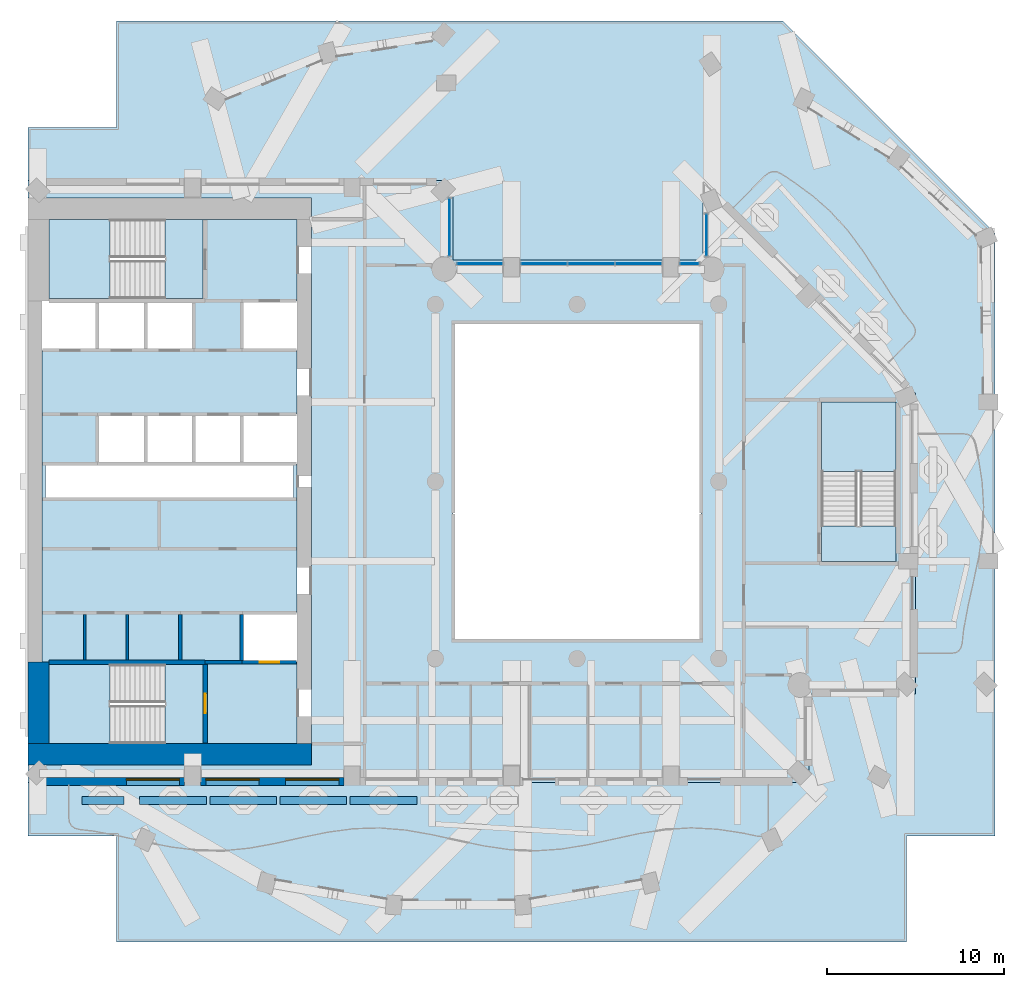
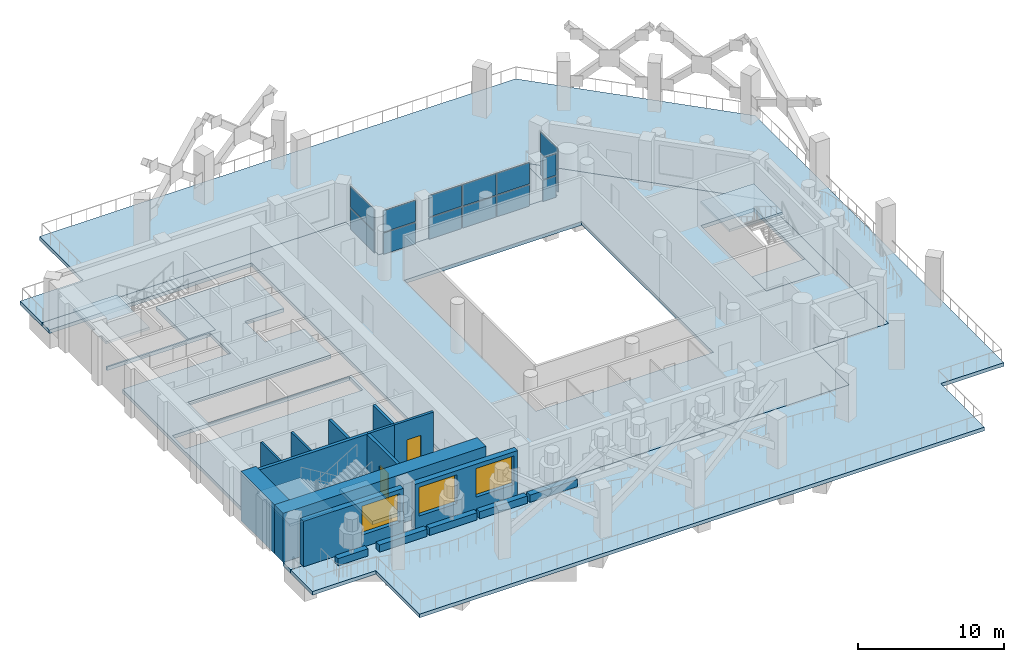
# One storey, part 4 of 18: 17 walls, 14 plates, 9 slabs, 3 windows, 2 doors, 5 openings, 8 elements without a shape of their own.
"""IFC4 building model written with IfcOpenShell, lengths in metres."""

from ifc_helpers import new_model, si_unit, direction, frame, frame_2d, origin, origin_2d, place, context, subcontext, project, spatial, polyline, rectangle, outline, extrude, material, layer, layer_set, type_object, element, fill, aggregate, save


model = new_model("IFC4")

# Units and contexts
model_context = context("Model", 3, precision=1e-05, world=origin(), true_north=direction((0.0, 1.0)))
body_context = subcontext(model_context, "Body", "Model", "MODEL_VIEW")
ifc_project = project(units=[si_unit("LENGTHUNIT", "METRE"), si_unit("AREAUNIT", "SQUARE_METRE"), si_unit("VOLUMEUNIT", "CUBIC_METRE"), si_unit("PLANEANGLEUNIT", "RADIAN"), si_unit("MASSUNIT", "GRAM", prefix="KILO")], contexts=[model_context])

# Site, building, storey
site_placement = place(None, origin())
site = spatial("IfcSite", under=ifc_project, at=site_placement, CompositionType="ELEMENT")
building_placement = place(site_placement, origin())
building = spatial("IfcBuilding", under=site, at=building_placement, Name="Cypress Arch Tower", CompositionType="ELEMENT")
storey_placement = place(building_placement, frame((0.0, 0.0, 160.5)))
storey = spatial("IfcBuildingStorey", under=building, at=storey_placement, Name="L34", CompositionType="ELEMENT", Elevation=160.5)

# Slabs
ifc_material_1 = material(Name="Concrete C40/50", Category="concrete")
ifc_layer_1 = layer(ifc_material_1, 0.300048828125)
ifc_layer_set_1 = layer_set([ifc_layer_1], Name="Core floor CF300")
slab_type_1 = type_object("IfcSlabType", Name="Core floor CF300", PredefinedType="FLOOR", material=ifc_layer_set_1)
slab_1_placement = place(storey_placement, frame((0.0, 0.0, -0.300048828125)))
element("IfcSlab", 1, at=slab_1_placement, inside=storey, type_object=slab_type_1, Name="Core floor", PredefinedType="FLOOR", context=body_context, shape_type="SweptSolid", body=[
    extrude(outline(polyline([(-20.125, -10.324951171875), (-22.27490234375, -10.324951171875), (-28.800048828125, -10.324951171875), (-28.800048828125, -10.199951171875), (-29.199951171875, -10.199951171875), (-29.199951171875, 7.39990234375), (-26.080078125, 7.39990234375), (-23.360107421875, 7.39990234375), (-20.639892578125, 7.39990234375), (-20.639892578125, 10.199951171875), (-23.360107421875, 10.199951171875), (-26.080078125, 10.199951171875), (-28.800048828125, 10.199951171875), (-28.800048828125, 10.324951171875), (-22.27490234375, 10.324951171875), (-20.125, 10.324951171875), (-20.125, 14.800048828125), (-14.800048828125, 14.800048828125), (-14.800048828125, 10.199951171875), (-17.919921875, 10.199951171875), (-17.919921875, 7.39990234375), (-14.800048828125, 7.39990234375), (-14.800048828125, 3.800048828125), (-17.919921875, 3.800048828125), (-20.639892578125, 3.800048828125), (-23.360107421875, 3.800048828125), (-26.080078125, 3.800048828125), (-26.080078125, 1.0), (-23.360107421875, 1.0), (-20.639892578125, 1.0), (-17.919921875, 1.0), (-14.800048828125, 1.0), (-14.800048828125, -7.39990234375), (-17.919921875, -7.39990234375), (-17.919921875, -10.199951171875), (-14.800048828125, -10.199951171875), (-14.800048828125, -14.800048828125), (-20.125, -14.800048828125), (-20.125, -10.324951171875)]), holes=[polyline([(-29.0, -0.89990234375), (-15.0, -0.89990234375), (-15.0, 0.89990234375), (-29.0, 0.89990234375), (-29.0, -0.89990234375)])]), origin(), (0.0, 0.0, 1.0), 0.300048828125),
])
slab_2_placement = place(storey_placement, frame((0.0, 0.0, -0.300048828125)))
element("IfcSlab", 2, at=slab_2_placement, inside=storey, type_object=slab_type_1, Name="Core floor", PredefinedType="FLOOR", context=body_context, shape_type="SweptSolid", body=[
    extrude(outline(polyline([(-22.27490234375, -10.324951171875), (-22.27490234375, -14.800048828125), (-20.125, -14.800048828125), (-20.125, -10.324951171875), (-22.27490234375, -10.324951171875)])), origin(), (0.0, 0.0, 1.0), 0.300048828125),
])
slab_3_placement = place(storey_placement, frame((0.0, 0.0, -0.300048828125)))
element("IfcSlab", 3, at=slab_3_placement, inside=storey, type_object=slab_type_1, Name="Core floor", PredefinedType="FLOOR", context=body_context, shape_type="SweptSolid", body=[
    extrude(outline(polyline([(-20.125, 14.800048828125), (-22.27490234375, 14.800048828125), (-22.27490234375, 10.324951171875), (-20.125, 10.324951171875), (-20.125, 14.800048828125)])), origin(), (0.0, 0.0, 1.0), 0.300048828125),
])
slab_4_placement = place(storey_placement, frame((0.0, 0.0, -0.300048828125)))
element("IfcSlab", 4, at=slab_4_placement, inside=storey, type_object=slab_type_1, Name="Stair floor landing", PredefinedType="FLOOR", context=body_context, shape_type="SweptSolid", body=[
    extrude(outline(polyline([(19.0, -4.5), (19.0, -2.5), (14.800048828125, -2.5), (14.800048828125, -4.5), (19.0, -4.5)])), origin(), (0.0, 0.0, 1.0), 0.300048828125),
])

# Curtain wall, plates
ifc_material_2 = material(Name="Anodised aluminium, bronze finish, clear laminated double glazing", Category="aluminium")
curtain_wall_type = type_object("IfcCurtainWallType", Name="Curtain wall CW7 slot glazing", PredefinedType="NOTDEFINED", material=ifc_material_2)
curtain_wall_1_placement = place(storey_placement, origin())
curtain_wall_1 = element("IfcCurtainWall", 5, at=curtain_wall_1_placement, inside=storey, type_object=curtain_wall_type, Name="Curtain wall L34 slot B06.0", PredefinedType="NOTDEFINED")
ifc_material_3 = material(Name="Clear laminated double glazing", Category="glass")
ifc_layer_2 = layer(ifc_material_3, 0.0439453125)
ifc_layer_set_2 = layer_set([ifc_layer_2], Name="Glass panel CW7 44")
plate_type = type_object("IfcPlateType", Name="Glass panel CW7 44", PredefinedType="CURTAIN_PANEL", material=ifc_layer_set_2)
plate_1_placement = place(storey_placement, frame((8.300048828125, 13.912353515625, 0.0849609375), z_axis=(0.0, 0.0, 1.0), x_axis=(0.0, -1.0, 0.0)))
plate_1 = element("IfcPlate", 6, at=plate_1_placement, type_object=plate_type, Name="CW7 panel 1.1", PredefinedType="CURTAIN_PANEL", context=body_context, shape_type="SweptSolid", body=[
    extrude(rectangle(XDim=2.345458984375, YDim=0.0439453125, at=origin_2d()), origin(), (0.0, 0.0, 1.0), 1.7724609375),
])
plate_2_placement = place(storey_placement, frame((8.300048828125, 13.912353515625, 1.942626953125), z_axis=(0.0, 0.0, 1.0), x_axis=(0.0, -1.0, 0.0)))
plate_2 = element("IfcPlate", 7, at=plate_2_placement, type_object=plate_type, Name="CW7 panel 1.2", PredefinedType="CURTAIN_PANEL", context=body_context, shape_type="SweptSolid", body=[
    extrude(rectangle(XDim=2.345458984375, YDim=0.0439453125, at=origin_2d()), origin(), (0.0, 0.0, 1.0), 1.7724609375),
])
aggregate(curtain_wall_1, [plate_1, plate_2])

curtain_wall_2_placement = place(storey_placement, origin())
curtain_wall_2 = element("IfcCurtainWall", 8, at=curtain_wall_2_placement, inside=storey, type_object=curtain_wall_type, Name="Curtain wall L34 slot B07.0", PredefinedType="NOTDEFINED")
plate_3_placement = place(storey_placement, frame((7.34765625, 12.300048828125, 0.0849609375), z_axis=(0.0, 0.0, 1.0), x_axis=(-1.0, 0.0, 0.0)))
plate_3 = element("IfcPlate", 9, at=plate_3_placement, type_object=plate_type, Name="CW7 panel 1.1", PredefinedType="CURTAIN_PANEL", context=body_context, shape_type="SweptSolid", body=[
    extrude(rectangle(XDim=1.025390625, YDim=0.0439453125, at=origin_2d()), origin(), (0.0, 0.0, 1.0), 1.7724609375),
])
plate_4_placement = place(storey_placement, frame((7.34765625, 12.300048828125, 1.942626953125), z_axis=(0.0, 0.0, 1.0), x_axis=(-1.0, 0.0, 0.0)))
plate_4 = element("IfcPlate", 10, at=plate_4_placement, type_object=plate_type, Name="CW7 panel 1.2", PredefinedType="CURTAIN_PANEL", context=body_context, shape_type="SweptSolid", body=[
    extrude(rectangle(XDim=1.025390625, YDim=0.0439453125, at=origin_2d()), origin(), (0.0, 0.0, 1.0), 1.7724609375),
])
aggregate(curtain_wall_2, [plate_3, plate_4])

curtain_wall_3_placement = place(storey_placement, origin())
curtain_wall_3 = element("IfcCurtainWall", 11, at=curtain_wall_3_placement, inside=storey, type_object=curtain_wall_type, Name="Curtain wall L34 slot B07.1", PredefinedType="NOTDEFINED")
plate_5_placement = place(storey_placement, frame((4.478759765625, 12.300048828125, 0.0849609375), z_axis=(0.0, 0.0, 1.0), x_axis=(-1.0, 0.0, 0.0)))
plate_5 = element("IfcPlate", 12, at=plate_5_placement, type_object=plate_type, Name="CW7 panel 1.1", PredefinedType="CURTAIN_PANEL", context=body_context, shape_type="SweptSolid", body=[
    extrude(rectangle(XDim=2.572509765625, YDim=0.0439453125, at=origin_2d()), origin(), (0.0, 0.0, 1.0), 1.7724609375),
])
plate_6_placement = place(storey_placement, frame((4.478759765625, 12.300048828125, 1.942626953125), z_axis=(0.0, 0.0, 1.0), x_axis=(-1.0, 0.0, 0.0)))
plate_6 = element("IfcPlate", 13, at=plate_6_placement, type_object=plate_type, Name="CW7 panel 1.2", PredefinedType="CURTAIN_PANEL", context=body_context, shape_type="SweptSolid", body=[
    extrude(rectangle(XDim=2.572509765625, YDim=0.0439453125, at=origin_2d()), origin(), (0.0, 0.0, 1.0), 1.7724609375),
])
plate_7_placement = place(storey_placement, frame((1.800048828125, 12.300048828125, 0.0849609375), z_axis=(0.0, 0.0, 1.0), x_axis=(-1.0, 0.0, 0.0)))
plate_7 = element("IfcPlate", 14, at=plate_7_placement, type_object=plate_type, Name="CW7 panel 2.1", PredefinedType="CURTAIN_PANEL", context=body_context, shape_type="SweptSolid", body=[
    extrude(rectangle(XDim=2.614990234375, YDim=0.0439453125, at=origin_2d()), origin(), (0.0, 0.0, 1.0), 1.7724609375),
])
plate_8_placement = place(storey_placement, frame((1.800048828125, 12.300048828125, 1.942626953125), z_axis=(0.0, 0.0, 1.0), x_axis=(-1.0, 0.0, 0.0)))
plate_8 = element("IfcPlate", 15, at=plate_8_placement, type_object=plate_type, Name="CW7 panel 2.2", PredefinedType="CURTAIN_PANEL", context=body_context, shape_type="SweptSolid", body=[
    extrude(rectangle(XDim=2.614990234375, YDim=0.0439453125, at=origin_2d()), origin(), (0.0, 0.0, 1.0), 1.7724609375),
])
plate_9_placement = place(storey_placement, frame((-0.878662109375, 12.300048828125, 0.0849609375), z_axis=(0.0, 0.0, 1.0), x_axis=(-1.0, 0.0, 0.0)))
plate_9 = element("IfcPlate", 16, at=plate_9_placement, type_object=plate_type, Name="CW7 panel 3.1", PredefinedType="CURTAIN_PANEL", context=body_context, shape_type="SweptSolid", body=[
    extrude(rectangle(XDim=2.572509765625, YDim=0.0439453125, at=origin_2d()), origin(), (0.0, 0.0, 1.0), 1.7724609375),
])
plate_10_placement = place(storey_placement, frame((-0.878662109375, 12.300048828125, 1.942626953125), z_axis=(0.0, 0.0, 1.0), x_axis=(-1.0, 0.0, 0.0)))
plate_10 = element("IfcPlate", 17, at=plate_10_placement, type_object=plate_type, Name="CW7 panel 3.2", PredefinedType="CURTAIN_PANEL", context=body_context, shape_type="SweptSolid", body=[
    extrude(rectangle(XDim=2.572509765625, YDim=0.0439453125, at=origin_2d()), origin(), (0.0, 0.0, 1.0), 1.7724609375),
])
aggregate(curtain_wall_3, [plate_5, plate_6, plate_7, plate_8, plate_9, plate_10])

curtain_wall_4_placement = place(storey_placement, origin())
curtain_wall_4 = element("IfcCurtainWall", 18, at=curtain_wall_4_placement, inside=storey, type_object=curtain_wall_type, Name="Curtain wall L34 slot B07.2", PredefinedType="NOTDEFINED")
plate_11_placement = place(storey_placement, frame((-4.497802734375, 12.300048828125, 0.0849609375), z_axis=(0.0, 0.0, 1.0), x_axis=(-1.0, 0.0, 0.0)))
plate_11 = element("IfcPlate", 19, at=plate_11_placement, type_object=plate_type, Name="CW7 panel 1.1", PredefinedType="CURTAIN_PANEL", context=body_context, shape_type="SweptSolid", body=[
    extrude(rectangle(XDim=2.525390625, YDim=0.0439453125, at=origin_2d()), origin(), (0.0, 0.0, 1.0), 1.7724609375),
])
plate_12_placement = place(storey_placement, frame((-4.497802734375, 12.300048828125, 1.942626953125), z_axis=(0.0, 0.0, 1.0), x_axis=(-1.0, 0.0, 0.0)))
plate_12 = element("IfcPlate", 20, at=plate_12_placement, type_object=plate_type, Name="CW7 panel 1.2", PredefinedType="CURTAIN_PANEL", context=body_context, shape_type="SweptSolid", body=[
    extrude(rectangle(XDim=2.525390625, YDim=0.0439453125, at=origin_2d()), origin(), (0.0, 0.0, 1.0), 1.7724609375),
])
aggregate(curtain_wall_4, [plate_11, plate_12])

curtain_wall_5_placement = place(storey_placement, origin())
curtain_wall_5 = element("IfcCurtainWall", 21, at=curtain_wall_5_placement, inside=storey, type_object=curtain_wall_type, Name="Curtain wall L34 slot B08.0", PredefinedType="NOTDEFINED")
plate_13_placement = place(storey_placement, frame((-6.199951171875, 14.359130859375, 0.0849609375), z_axis=(0.0, 0.0, 1.0), x_axis=(0.0, 1.0, 0.0)))
plate_13 = element("IfcPlate", 22, at=plate_13_placement, type_object=plate_type, Name="CW7 panel 1.1", PredefinedType="CURTAIN_PANEL", context=body_context, shape_type="SweptSolid", body=[
    extrude(rectangle(XDim=3.239013671875, YDim=0.0439453125, at=origin_2d()), origin(), (0.0, 0.0, 1.0), 1.7724609375),
])
plate_14_placement = place(storey_placement, frame((-6.199951171875, 14.359130859375, 1.942626953125), z_axis=(0.0, 0.0, 1.0), x_axis=(0.0, 1.0, 0.0)))
plate_14 = element("IfcPlate", 23, at=plate_14_placement, type_object=plate_type, Name="CW7 panel 1.2", PredefinedType="CURTAIN_PANEL", context=body_context, shape_type="SweptSolid", body=[
    extrude(rectangle(XDim=3.239013671875, YDim=0.0439453125, at=origin_2d()), origin(), (0.0, 0.0, 1.0), 1.7724609375),
])
aggregate(curtain_wall_5, [plate_13, plate_14])

# Slab
ifc_material_4 = material(Name="Concrete C40/50", Category="concrete")
ifc_layer_3 = layer(ifc_material_4, 0.300048828125)
ifc_layer_set_3 = layer_set([ifc_layer_3], Name="PT flat slab 300 Concrete C40/50")
slab_type_2 = type_object("IfcSlabType", Name="PT flat slab 300 Concrete C40/50", PredefinedType="FLOOR", material=ifc_layer_set_3)
slab_5_placement = place(storey_placement, frame((0.0, 0.0, -0.300048828125)))
element("IfcSlab", 24, at=slab_5_placement, inside=storey, type_object=slab_type_2, Name="Floor slab L34", PredefinedType="FLOOR", context=body_context, shape_type="SweptSolid", body=[
    extrude(outline(polyline([(-30.0, 17.0), (-6.0, 17.0), (-6.0, 12.5), (8.10009765625, 12.5), (8.10009765625, 17.0), (20.10009765625, 5.0), (20.10009765625, -12.0), (14.10009765625, -12.0), (14.10009765625, -17.0), (-30.0, -17.0), (-30.0, -16.0), (-14.0, -16.0), (-14.0, 16.0), (-30.0, 16.0), (-30.0, 17.0)]), holes=[polyline([(-6.0, -9.0), (8.0, -9.0), (8.0, 9.0), (-6.0, 9.0), (-6.0, -9.0)]), polyline([(14.800048828125, -4.5), (19.0, -4.5), (19.0, 4.5), (14.800048828125, 4.5), (14.800048828125, -4.5)])]), origin(), (0.0, 0.0, 1.0), 0.300048828125),
])

# Stair, slab
ifc_material_5 = material(Name="Concrete C40/50", Category="concrete")
stair_type_1 = type_object("IfcStairType", Name="Exit stair ES1708-215", PredefinedType="HALF_TURN_STAIR", material=ifc_material_5)
stair_1_placement = place(storey_placement, origin())
stair_1 = element("IfcStair", 25, at=stair_1_placement, inside=storey, type_object=stair_type_1, Name="L34 Exit stair A", PredefinedType="HALF_TURN_STAIR")
ifc_material_6 = material(Name="Concrete C40/50", Category="concrete")
ifc_layer_4 = layer(ifc_material_6, 0.199951171875)
ifc_layer_set_4 = layer_set([ifc_layer_4], Name="Stair landing SL200")
slab_type_3 = type_object("IfcSlabType", Name="Stair landing SL200", PredefinedType="LANDING", material=ifc_layer_set_4)
slab_6_placement = place(storey_placement, frame((0.0, 0.0, 1.85009765625)))
slab_6 = element("IfcSlab", 26, at=slab_6_placement, type_object=slab_type_3, Name="A landing 1", PredefinedType="LANDING", context=body_context, shape_type="SweptSolid", body=[
    extrude(outline(polyline([(-25.35498046875, -10.324951171875), (-28.800048828125, -10.324951171875), (-28.800048828125, -14.800048828125), (-25.35498046875, -14.800048828125), (-25.35498046875, -10.324951171875)])), origin(), (0.0, 0.0, 1.0), 0.199951171875),
])
aggregate(stair_1, [slab_6])

stair_2_placement = place(storey_placement, origin())
stair_2 = element("IfcStair", 27, at=stair_2_placement, inside=storey, type_object=stair_type_1, Name="L34 Exit stair B", PredefinedType="HALF_TURN_STAIR")
slab_7_placement = place(storey_placement, frame((0.0, 0.0, 1.85009765625)))
slab_7 = element("IfcSlab", 28, at=slab_7_placement, type_object=slab_type_3, Name="B landing 1", PredefinedType="LANDING", context=body_context, shape_type="SweptSolid", body=[
    extrude(outline(polyline([(-25.35498046875, 14.800048828125), (-28.800048828125, 14.800048828125), (-28.800048828125, 10.324951171875), (-25.35498046875, 10.324951171875), (-25.35498046875, 14.800048828125)])), origin(), (0.0, 0.0, 1.0), 0.199951171875),
])
aggregate(stair_2, [slab_7])

ifc_material_7 = material(Name="Concrete C40/50", Category="concrete")
stair_type_2 = type_object("IfcStairType", Name="Exit stair ES1708-200", PredefinedType="HALF_TURN_STAIR", material=ifc_material_7)
stair_3_placement = place(storey_placement, origin())
stair_3 = element("IfcStair", 29, at=stair_3_placement, inside=storey, type_object=stair_type_2, Name="L34 Exit stair C", PredefinedType="HALF_TURN_STAIR")
slab_8_placement = place(storey_placement, frame((0.0, 0.0, 1.85009765625)))
slab_8 = element("IfcSlab", 30, at=slab_8_placement, type_object=slab_type_3, Name="C landing 1", PredefinedType="LANDING", context=body_context, shape_type="SweptSolid", body=[
    extrude(outline(polyline([(19.0, 0.580078125), (19.0, 4.5), (14.800048828125, 4.5), (14.800048828125, 0.580078125), (19.0, 0.580078125)])), origin(), (0.0, 0.0, 1.0), 0.199951171875),
])
aggregate(stair_3, [slab_8])

# Slab
ifc_material_8 = material(Name="Concrete C40/50", Category="concrete")
ifc_layer_5 = layer(ifc_material_8, 0.300048828125)
ifc_layer_set_5 = layer_set([ifc_layer_5], Name="Terrace roof slab 300 Concrete C40/50")
slab_type_4 = type_object("IfcSlabType", Name="Terrace roof slab 300 Concrete C40/50", PredefinedType="ROOF", material=ifc_layer_set_5)
slab_9_placement = place(storey_placement, frame((0.0, 0.0, -0.300048828125)))
element("IfcSlab", 31, at=slab_9_placement, inside=storey, type_object=slab_type_4, Name="Setback roof L34 1", PredefinedType="ROOF", context=body_context, shape_type="SweptSolid", body=[
    extrude(outline(polyline([(-30.0, 20.0), (-25.0, 20.0), (-25.0, 26.0), (12.60009765625, 26.0), (24.60009765625, 14.0), (24.60009765625, -20.0), (19.60009765625, -20.0), (19.60009765625, -26.0), (-25.0, -26.0), (-25.0, -20.0), (-30.0, -20.0), (-30.0, -17.0), (14.10009765625, -17.0), (14.10009765625, -12.0), (20.10009765625, -12.0), (20.10009765625, 5.0), (8.10009765625, 17.0), (8.10009765625, 12.5), (-6.0, 12.5), (-6.0, 17.0), (-30.0, 17.0), (-30.0, 20.0)])), origin(), (0.0, 0.0, 1.0), 0.300048828125),
])

# Walls
ifc_material_9 = material(Name="Concrete C40/50, waterproofed", Category="concrete")
ifc_layer_6 = layer(ifc_material_9, 0.449951171875)
ifc_layer_set_6 = layer_set([ifc_layer_6], Name="Balcony planter wall PW450")
wall_type_1 = type_object("IfcWallType", Name="Balcony planter wall PW450", PredefinedType="SOLIDWALL", material=ifc_layer_set_6)
wall_1_placement = place(storey_placement, frame((-26.949951171875, -18.0, 0.0), z_axis=(0.0, 0.0, 1.0), x_axis=(1.0, 0.0, 0.0)))
element("IfcWall", 32, at=wall_1_placement, inside=storey, type_object=wall_type_1, Name="Balcony planter wall L34-B01.1", PredefinedType="SOLIDWALL", context=body_context, shape_type="SweptSolid", body=[
    extrude(rectangle(XDim=2.35986328125, YDim=0.449951171875, at=frame_2d((1.179931640625, 0.0))), origin(), (0.0, 0.0, 1.0), 0.60009765625),
])
for number, where, z_axis, x_axis, name in (
    (33, (-23.68994140625, -18.0, 0.0), (0.0, 0.0, 1.0), (1.0, 0.0, 0.0), "Balcony planter wall L34-B01.2"),
    (34, (-19.72998046875, -18.0, 0.0), (0.0, 0.0, 1.0), (1.0, 0.0, 0.0), "Balcony planter wall L34-B01.3"),
    (35, (-15.77001953125, -18.0, 0.0), (0.0, 0.0, 1.0), (1.0, 0.0, 0.0), "Balcony planter wall L34-B01.4"),
    (36, (-11.81005859375, -18.0, 0.0), (0.0, 0.0, 1.0), (1.0, 0.0, 0.0), "Balcony planter wall L34-B01.5"),
):
    element("IfcWall", number, at=place(storey_placement, frame(where, z_axis=z_axis, x_axis=x_axis)), inside=storey, type_object=wall_type_1, Name=name, PredefinedType="SOLIDWALL", context=body_context, shape_type="SweptSolid", body=[
        extrude(rectangle(XDim=3.760009765625, YDim=0.449951171875, at=frame_2d((1.8798828125, 0.0))), origin(), (0.0, 0.0, 1.0), 0.60009765625),
    ])

# Wall, opening, window
ifc_material_10 = material(Name="Brick (red buff blend)", Category="masonry")
ifc_layer_7 = layer(ifc_material_10, 0.449951171875)
ifc_layer_set_7 = layer_set([ifc_layer_7], Name="Brick pier and spandrel wall BW450")
wall_type_2 = type_object("IfcWallType", Name="Brick pier and spandrel wall BW450", PredefinedType="SOLIDWALL", material=ifc_layer_set_7)
wall_2_placement = place(storey_placement, frame((-29.063720703125, -16.925048828125, 0.0), z_axis=(0.0, 0.0, 1.0), x_axis=(1.0, 0.0, 0.0)))
wall_2 = element("IfcWall", 37, at=wall_2_placement, inside=storey, type_object=wall_type_2, Name="Brick wall L34 B01.0", PredefinedType="SOLIDWALL", context=body_context, shape_type="SweptSolid", body=[
    extrude(rectangle(XDim=7.913818359375, YDim=0.449951171875, at=frame_2d((3.95703125, 0.0))), origin(), (0.0, 0.0, 1.0), 3.800048828125),
])
opening_1_placement = place(wall_2_placement, frame((4.613525390625, 0.0, 1.050048828125)))
opening_1 = element("IfcOpeningElement", 38, at=opening_1_placement, cuts=wall_2, Name="Opening W300OD", PredefinedType="OPENING", context=body_context, shape_type="SweptSolid", body=[
    extrude(rectangle(XDim=3.0, YDim=2.39990234375, at=frame_2d((1.5, 1.199951171875))), frame((0.0, 0.23486328125, 0.0), z_axis=(0.0, -1.0, 0.0), x_axis=(1.0, 0.0, 0.0)), (0.0, 0.0, 1.0), 0.469970703125),
])
ifc_material_11 = material(Name="Anodised aluminium, bronze finish, laminated low-emissivity double glazing, large-missile impact rated", Category="aluminium")
window_type = type_object("IfcWindowType", Name="Window Office 3000x2400 debris-rated", PartitioningType="SINGLE_PANEL", PredefinedType="WINDOW", material=ifc_material_11)
window_1_placement = place(opening_1_placement, origin())
window_1 = element("IfcWindow", 39, at=window_1_placement, inside=storey, type_object=window_type, Name="Window L34 B01.0.2", OverallHeight=2.39990234375, OverallWidth=3.0, PartitioningType="SINGLE_PANEL", PredefinedType="WINDOW", context=body_context, shape_type="SweptSolid", body=[
    extrude(rectangle(XDim=3.0, YDim=2.39990234375, at=frame_2d((1.5, 1.199951171875))), frame((0.0, 0.135009765625, 0.0), z_axis=(0.0, -1.0, 0.0), x_axis=(1.0, 0.0, 0.0)), (0.0, 0.0, 1.0), 0.06005859375),
])
fill(opening_1, window_1)

# Wall, openings, windows
wall_3_placement = place(storey_placement, frame((-20.25, -16.925048828125, 0.0), z_axis=(0.0, 0.0, 1.0), x_axis=(1.0, 0.0, 0.0)))
wall_3 = element("IfcWall", 40, at=wall_3_placement, inside=storey, type_object=wall_type_2, Name="Brick wall L34 B01.1", PredefinedType="SOLIDWALL", context=body_context, shape_type="SweptSolid", body=[
    extrude(rectangle(XDim=8.10009765625, YDim=0.449951171875, at=frame_2d((4.050048828125, 0.0))), origin(), (0.0, 0.0, 1.0), 3.800048828125),
])
opening_2_placement = place(wall_3_placement, frame((0.300048828125, 0.0, 1.050048828125)))
opening_2 = element("IfcOpeningElement", 41, at=opening_2_placement, cuts=wall_3, Name="Opening W300OD", PredefinedType="OPENING", context=body_context, shape_type="SweptSolid", body=[
    extrude(rectangle(XDim=3.0, YDim=2.39990234375, at=frame_2d((1.5, 1.199951171875))), frame((0.0, 0.23486328125, 0.0), z_axis=(0.0, -1.0, 0.0), x_axis=(1.0, 0.0, 0.0)), (0.0, 0.0, 1.0), 0.469970703125),
])
opening_3_placement = place(wall_3_placement, frame((4.800048828125, 0.0, 1.050048828125)))
opening_3 = element("IfcOpeningElement", 42, at=opening_3_placement, cuts=wall_3, Name="Opening W300OD", PredefinedType="OPENING", context=body_context, shape_type="SweptSolid", body=[
    extrude(rectangle(XDim=3.0, YDim=2.39990234375, at=frame_2d((1.5, 1.199951171875))), frame((0.0, 0.23486328125, 0.0), z_axis=(0.0, -1.0, 0.0), x_axis=(1.0, 0.0, 0.0)), (0.0, 0.0, 1.0), 0.469970703125),
])
window_2_placement = place(opening_2_placement, origin())
window_2 = element("IfcWindow", 43, at=window_2_placement, inside=storey, type_object=window_type, Name="Window L34 B01.1.1", OverallHeight=2.39990234375, OverallWidth=3.0, PartitioningType="SINGLE_PANEL", PredefinedType="WINDOW", context=body_context, shape_type="SweptSolid", body=[
    extrude(rectangle(XDim=3.0, YDim=2.39990234375, at=frame_2d((1.5, 1.199951171875))), frame((0.0, 0.135009765625, 0.0), z_axis=(0.0, -1.0, 0.0), x_axis=(1.0, 0.0, 0.0)), (0.0, 0.0, 1.0), 0.06005859375),
])
fill(opening_2, window_2)
window_3_placement = place(opening_3_placement, origin())
window_3 = element("IfcWindow", 44, at=window_3_placement, inside=storey, type_object=window_type, Name="Window L34 B01.1.2", OverallHeight=2.39990234375, OverallWidth=3.0, PartitioningType="SINGLE_PANEL", PredefinedType="WINDOW", context=body_context, shape_type="SweptSolid", body=[
    extrude(rectangle(XDim=3.0, YDim=2.39990234375, at=frame_2d((1.5, 1.199951171875))), frame((0.0, 0.135009765625, 0.0), z_axis=(0.0, -1.0, 0.0), x_axis=(1.0, 0.0, 0.0)), (0.0, 0.0, 1.0), 0.06005859375),
])
fill(opening_3, window_3)

# Walls
ifc_material_12 = material(Name="Concrete C70/85", Category="concrete")
ifc_layer_8 = layer(ifc_material_12, 1.199951171875)
ifc_layer_set_8 = layer_set([ifc_layer_8], Name="Core wall CW1200 C70/85")
wall_type_3 = type_object("IfcWallType", Name="Core wall CW1200 C70/85", PredefinedType="SHEAR", material=ifc_layer_set_8)
wall_4_placement = place(storey_placement, frame((-30.0, -15.39990234375, 0.0), z_axis=(0.0, 0.0, 1.0), x_axis=(1.0, 0.0, 0.0)))
element("IfcWall", 45, at=wall_4_placement, inside=storey, type_object=wall_type_3, Name="Core wall", PredefinedType="SHEAR", context=body_context, shape_type="SweptSolid", body=[
    extrude(rectangle(XDim=16.0, YDim=1.199951171875, at=frame_2d((8.0, 0.0))), origin(), (0.0, 0.0, 1.0), 4.10009765625),
])
wall_5_placement = place(storey_placement, frame((-29.39990234375, -14.800048828125, 0.0), z_axis=(0.0, 0.0, 1.0), x_axis=(0.0, 1.0, 0.0)))
element("IfcWall", 46, at=wall_5_placement, inside=storey, type_object=wall_type_3, Name="Core wall", PredefinedType="SHEAR", context=body_context, shape_type="SweptSolid", body=[
    extrude(rectangle(XDim=4.60009765625, YDim=1.199951171875, at=frame_2d((2.300048828125, 0.0))), origin(), (0.0, 0.0, 1.0), 4.10009765625),
])
ifc_material_13 = material(Name="Blockwork, plastered both sides", Category="masonry")
ifc_layer_9 = layer(ifc_material_13, 0.14990234375)
ifc_layer_set_9 = layer_set([ifc_layer_9], Name="Partition PW150")
wall_type_4 = type_object("IfcWallType", Name="Partition PW150", PredefinedType="PARTITIONING", material=ifc_layer_set_9)
for number, where, z_axis, x_axis, name in (
    (47, (-26.800048828125, -10.074951171875, 0.0), (0.0, 0.0, 1.0), (0.0, 1.0, 0.0), "Partition"),
    (48, (-24.39990234375, -10.074951171875, 0.0), (0.0, 0.0, 1.0), (0.0, 1.0, 0.0), "Partition"),
):
    element("IfcWall", number, at=place(storey_placement, frame(where, z_axis=z_axis, x_axis=x_axis)), inside=storey, type_object=wall_type_4, Name=name, PredefinedType="PARTITIONING", context=body_context, shape_type="SweptSolid", body=[
        extrude(rectangle(XDim=2.574951171875, YDim=0.14990234375, at=frame_2d((1.28759765625, 0.0))), origin(), (0.0, 0.0, 1.0), 3.800048828125),
    ])
ifc_material_14 = material(Name="Reinforced blockwork, plastered, rated", Category="masonry")
ifc_layer_10 = layer(ifc_material_14, 0.199951171875)
ifc_layer_set_10 = layer_set([ifc_layer_10], Name="Plant and riser wall PL200")
wall_type_5 = type_object("IfcWallType", Name="Plant and riser wall PL200", PredefinedType="PARTITIONING", material=ifc_layer_set_10)
wall_6_placement = place(storey_placement, frame((-21.39990234375, -10.074951171875, 0.0), z_axis=(0.0, 0.0, 1.0), x_axis=(0.0, 1.0, 0.0)))
element("IfcWall", 49, at=wall_6_placement, inside=storey, type_object=wall_type_5, Name="Plant and riser wall", PredefinedType="PARTITIONING", context=body_context, shape_type="SweptSolid", body=[
    extrude(rectangle(XDim=2.574951171875, YDim=0.199951171875, at=frame_2d((1.28759765625, 0.0))), origin(), (0.0, 0.0, 1.0), 3.800048828125),
])
wall_7_placement = place(storey_placement, frame((-20.0, -10.199951171875, 0.0), z_axis=(0.0, 0.0, 1.0), x_axis=(1.0, 0.0, 0.0)))
element("IfcWall", 50, at=wall_7_placement, inside=storey, type_object=wall_type_5, Name="Plant and riser wall", PredefinedType="PARTITIONING", context=body_context, shape_type="SweptSolid", body=[
    extrude(rectangle(XDim=2.080078125, YDim=0.199951171875, at=frame_2d((1.0400390625, 0.0))), origin(), (0.0, 0.0, 1.0), 3.800048828125),
])
ifc_material_15 = material(Name="Concrete C50/60", Category="concrete")
ifc_layer_11 = layer(ifc_material_15, 0.199951171875)
ifc_layer_set_11 = layer_set([ifc_layer_11], Name="Shaft wall SH200")
wall_type_6 = type_object("IfcWallType", Name="Shaft wall SH200", PredefinedType="SHEAR", material=ifc_layer_set_11)
wall_8_placement = place(storey_placement, frame((-17.919921875, -10.10009765625, 0.0), z_axis=(0.0, 0.0, 1.0), x_axis=(0.0, 1.0, 0.0)))
element("IfcWall", 51, at=wall_8_placement, inside=storey, type_object=wall_type_6, Name="Shaft wall", PredefinedType="SHEAR", context=body_context, shape_type="SweptSolid", body=[
    extrude(rectangle(XDim=2.60009765625, YDim=0.199951171875, at=frame_2d((1.300048828125, 0.0))), origin(), (0.0, 0.0, 1.0), 3.800048828125),
])

# Wall, opening, door
wall_9_placement = place(storey_placement, frame((-17.919921875, -10.199951171875, 0.0), z_axis=(0.0, 0.0, 1.0), x_axis=(1.0, 0.0, 0.0)))
wall_9 = element("IfcWall", 52, at=wall_9_placement, inside=storey, type_object=wall_type_6, Name="Shaft wall", PredefinedType="SHEAR", context=body_context, shape_type="SweptSolid", body=[
    extrude(rectangle(XDim=3.08984375, YDim=0.199951171875, at=frame_2d((1.544921875, 0.0))), origin(), (0.0, 0.0, 1.0), 3.800048828125),
])
opening_4_placement = place(wall_9_placement, frame((1.0, 0.0, 0.0)))
opening_4 = element("IfcOpeningElement", 53, at=opening_4_placement, cuts=wall_9, Name="Opening LD-FL1", PredefinedType="OPENING", context=body_context, shape_type="SweptSolid", body=[
    extrude(rectangle(XDim=1.10009765625, YDim=2.199951171875, at=frame_2d((0.550048828125, 1.10009765625))), frame((0.0, 0.10986328125, 0.0), z_axis=(0.0, -1.0, 0.0), x_axis=(1.0, 0.0, 0.0)), (0.0, 0.0, 1.0), 0.219970703125),
])
ifc_material_16 = material(Name="Stainless steel centre-opening landing door, rated", Category="steel")
door_type_1 = type_object("IfcDoorType", Name="Lift landing door LD 1100x2200", OperationType="DOUBLE_DOOR_SLIDING", PredefinedType="DOOR", material=ifc_material_16)
door_1_placement = place(opening_4_placement, origin())
door_1 = element("IfcDoor", 54, at=door_1_placement, inside=storey, type_object=door_type_1, Name="Lift landing doors FL1", OperationType="DOUBLE_DOOR_SLIDING", OverallHeight=2.199951171875, OverallWidth=1.10009765625, PredefinedType="DOOR", context=body_context, shape_type="SweptSolid", body=[
    extrude(rectangle(XDim=1.10009765625, YDim=2.199951171875, at=frame_2d((0.550048828125, 1.10009765625))), frame((0.0, 0.02490234375, 0.0), z_axis=(0.0, -1.0, 0.0), x_axis=(1.0, 0.0, 0.0)), (0.0, 0.0, 1.0), 0.050048828125),
])
fill(opening_4, door_1)

# Wall
ifc_material_17 = material(Name="Concrete C50/60", Category="concrete")
ifc_layer_12 = layer(ifc_material_17, 0.25)
ifc_layer_set_12 = layer_set([ifc_layer_12], Name="Stair enclosure wall SW250")
wall_type_7 = type_object("IfcWallType", Name="Stair enclosure wall SW250", PredefinedType="SHEAR", material=ifc_layer_set_12)
wall_10_placement = place(storey_placement, frame((-28.81005859375, -10.199951171875, 0.0), z_axis=(0.0, 0.0, 1.0), x_axis=(1.0, 0.0, 0.0)))
element("IfcWall", 55, at=wall_10_placement, inside=storey, type_object=wall_type_7, Name="Stair enclosure wall", PredefinedType="SHEAR", context=body_context, shape_type="SweptSolid", body=[
    extrude(rectangle(XDim=8.81005859375, YDim=0.25, at=frame_2d((4.405029296875, 0.0))), origin(), (0.0, 0.0, 1.0), 3.800048828125),
])

# Wall, opening, door
wall_11_placement = place(storey_placement, frame((-20.0, -14.77001953125, 0.0), z_axis=(0.0, 0.0, 1.0), x_axis=(0.0, 1.0, 0.0)))
wall_11 = element("IfcWall", 56, at=wall_11_placement, inside=storey, type_object=wall_type_7, Name="Stair enclosure wall", PredefinedType="SHEAR", context=body_context, shape_type="SweptSolid", body=[
    extrude(rectangle(XDim=4.445068359375, YDim=0.25, at=frame_2d((2.22265625, 0.0))), origin(), (0.0, 0.0, 1.0), 3.800048828125),
])
opening_5_placement = place(wall_11_placement, frame((1.699951171875, 0.0, 0.0)))
opening_5 = element("IfcOpeningElement", 57, at=opening_5_placement, cuts=wall_11, Name="Opening D06", PredefinedType="OPENING", context=body_context, shape_type="SweptSolid", body=[
    extrude(rectangle(XDim=1.10009765625, YDim=2.199951171875, at=frame_2d((0.550048828125, 1.10009765625))), frame((0.0, 0.135009765625, 0.0), z_axis=(0.0, -1.0, 0.0), x_axis=(1.0, 0.0, 0.0)), (0.0, 0.0, 1.0), 0.27001953125),
])
ifc_material_18 = material(Name="Steel door, fire resisting, panic bar", Category="steel")
door_type_2 = type_object("IfcDoorType", Name="Stair door D06 1100x2200", OperationType="SINGLE_SWING_LEFT", PredefinedType="DOOR", material=ifc_material_18)
door_2_placement = place(opening_5_placement, origin())
door_2 = element("IfcDoor", 58, at=door_2_placement, inside=storey, type_object=door_type_2, Name="Stair door", OperationType="SINGLE_SWING_RIGHT", OverallHeight=2.199951171875, OverallWidth=1.10009765625, PredefinedType="DOOR", context=body_context, shape_type="SweptSolid", body=[
    extrude(rectangle(XDim=1.10009765625, YDim=2.199951171875, at=frame_2d((0.550048828125, 1.10009765625))), frame((0.0, 0.02490234375, 0.0), z_axis=(0.0, -1.0, 0.0), x_axis=(1.0, 0.0, 0.0)), (0.0, 0.0, 1.0), 0.050048828125),
])
fill(opening_5, door_2)

save(model, "model.ifc")
